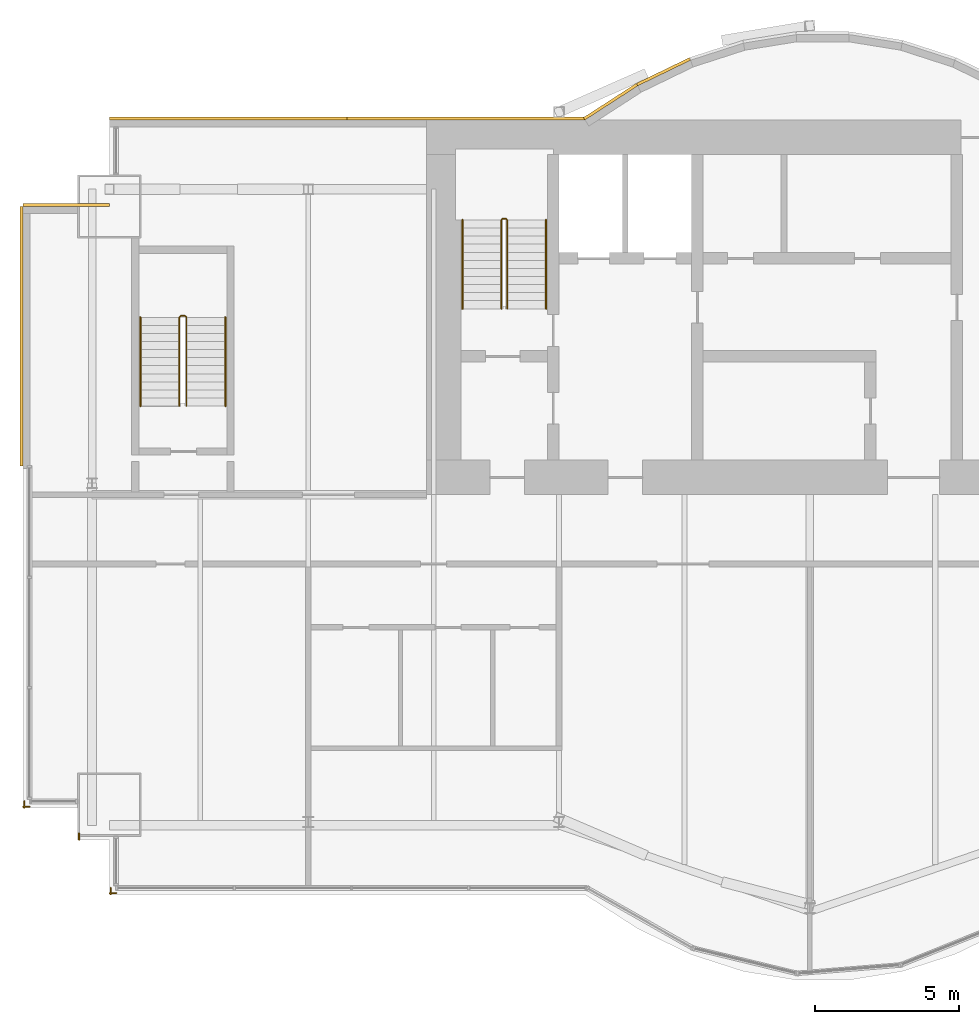
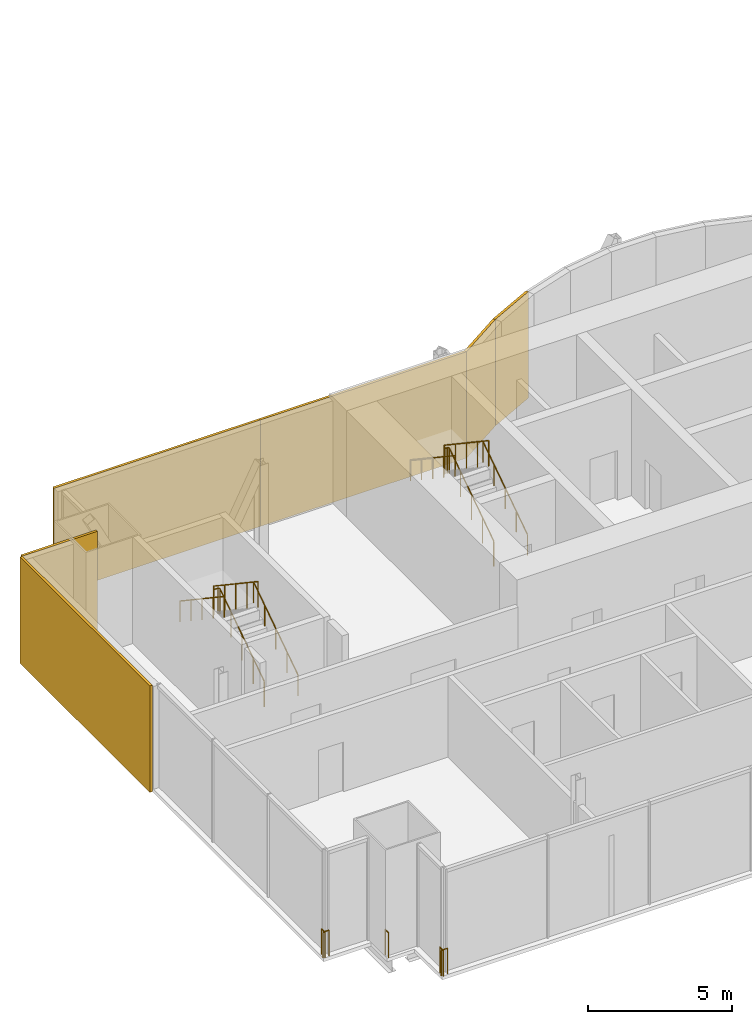
# One storey, part 16 of 18: 9 railings, 6 coverings.
"""IFC4 building model written with IfcOpenShell, lengths in metres."""

from ifc_helpers import new_model, si_unit, direction, frame, origin, origin_2d, place, context, subcontext, project, spatial, rectangle, circle, extrude, material, layer, layer_set, type_object, element, save


model = new_model("IFC4")

# Units and contexts
model_context = context("Model", 3, precision=1e-05, world=origin(), true_north=direction((0.0, 1.0)))
body_context = subcontext(model_context, "Body", "Model", "MODEL_VIEW")
ifc_project = project(units=[si_unit("LENGTHUNIT", "METRE"), si_unit("AREAUNIT", "SQUARE_METRE"), si_unit("VOLUMEUNIT", "CUBIC_METRE"), si_unit("PLANEANGLEUNIT", "RADIAN"), si_unit("MASSUNIT", "GRAM", prefix="KILO")], contexts=[model_context])

# Site, building, storey
site_placement = place(None, origin())
site = spatial("IfcSite", under=ifc_project, at=site_placement, CompositionType="ELEMENT")
building_placement = place(site_placement, origin())
building = spatial("IfcBuilding", under=site, at=building_placement, Name="Bicima Exchange Tower", CompositionType="ELEMENT")
storey_placement = place(building_placement, frame((0.0, 0.0, 302.0)))
storey = spatial("IfcBuildingStorey", under=building, at=storey_placement, Name="L68", CompositionType="ELEMENT", Elevation=302.0)

# Coverings
ifc_material_1 = material(Name="Bronze metal cladding")
ifc_layer_1 = layer(ifc_material_1, 0.004)
ifc_material_2 = material(Name="Ventilated cavity")
ifc_layer_2 = layer(ifc_material_2, 0.06)
ifc_material_3 = material(Name="Galvanised steel rail and mineral wool", Category="steel")
ifc_layer_3 = layer(ifc_material_3, 0.036)
ifc_layer_set = layer_set([ifc_layer_1, ifc_layer_2, ifc_layer_3], Name="Ventilated cavity")
covering_type = type_object("IfcCoveringType", Name="Bronze metal cladding panel 100", PredefinedType="CLADDING", material=ifc_layer_set)
covering_1_placement = place(storey_placement, frame((-13.771728515625, 1.674560546875, -0.14990234375), z_axis=(0.0, 0.0, 1.0), x_axis=(-0.899818346812, -0.436264762204, 0.0)))
element("IfcCovering", 1, at=covering_1_placement, inside=storey, type_object=covering_type, Name="Bronze cladding L68 18.1", PredefinedType="CLADDING", context=body_context, shape_type="SweptSolid", body=[
    extrude(rectangle(XDim=2.03759765625, YDim=0.10009765625, at=origin_2d()), origin(), (0.0, 0.0, 1.0), 4.5),
])
covering_2_placement = place(storey_placement, frame((-15.610595703125, 0.634521484375, -0.14990234375), z_axis=(0.0, 0.0, 1.0), x_axis=(-0.839790466384, -0.542910648791, 0.0)))
element("IfcCovering", 2, at=covering_2_placement, inside=storey, type_object=covering_type, Name="Bronze cladding L68 19.1", PredefinedType="CLADDING", context=body_context, shape_type="SweptSolid", body=[
    extrude(rectangle(XDim=2.18310546875, YDim=0.10009765625, at=origin_2d()), origin(), (0.0, 0.0, 1.0), 4.5),
])
for number, where, z_axis, x_axis, name in (
    (3, (-20.625, 0.050048828125, -0.14990234375), (0.0, 0.0, 1.0), (-1.0, 0.0, 0.0), "Bronze cladding L68 20.1"),
    (4, (-28.875, 0.050048828125, -0.14990234375), (0.0, 0.0, 1.0), (-1.0, 0.0, 0.0), "Bronze cladding L68 20.2"),
):
    element("IfcCovering", number, at=place(storey_placement, frame(where, z_axis=z_axis, x_axis=x_axis)), inside=storey, type_object=covering_type, Name=name, PredefinedType="CLADDING", context=body_context, shape_type="SweptSolid", body=[
        extrude(rectangle(XDim=8.25, YDim=0.10009765625, at=origin_2d()), origin(), (0.0, 0.0, 1.0), 4.5),
    ])
covering_3_placement = place(storey_placement, frame((-34.5, -2.949951171875, -0.14990234375), z_axis=(0.0, 0.0, 1.0), x_axis=(-1.0, 0.0, 0.0)))
element("IfcCovering", 5, at=covering_3_placement, inside=storey, type_object=covering_type, Name="Bronze cladding L68 22.1", PredefinedType="CLADDING", context=body_context, shape_type="SweptSolid", body=[
    extrude(rectangle(XDim=3.0, YDim=0.10009765625, at=origin_2d()), origin(), (0.0, 0.0, 1.0), 4.5),
])
covering_4_placement = place(storey_placement, frame((-36.050048828125, -7.5, -0.14990234375), z_axis=(0.0, 0.0, 1.0), x_axis=(0.0, -1.0, 0.0)))
element("IfcCovering", 6, at=covering_4_placement, inside=storey, type_object=covering_type, Name="Bronze cladding L68 23.1", PredefinedType="CLADDING", context=body_context, shape_type="SweptSolid", body=[
    extrude(rectangle(XDim=9.0, YDim=0.10009765625, at=origin_2d()), origin(), (0.0, 0.0, 1.0), 4.5),
])

# Railings
ifc_material_4 = material(Name="Stainless steel and bonded safety glass", Category="steel")
railing_type_1 = type_object("IfcRailingType", Name="Edge guard 1100", PredefinedType="GUARDRAIL", material=ifc_material_4)
railing_1_placement = place(storey_placement, frame((-35.762939453125, -23.822021484375, 0.0)))
element("IfcRailing", 7, at=railing_1_placement, inside=storey, type_object=railing_type_1, Name="Edge guard L68 349", PredefinedType="GUARDRAIL", context=body_context, shape_type="SweptSolid", body=[
    extrude(circle(Radius=0.02392578125, at=origin_2d()), frame((0.0, 0.0, 1.076171875), z_axis=(-1.0, 0.0, 0.0), x_axis=(0.0, -1.0, 0.0)), (0.0, 0.0, 1.0), 0.237060546875),
    extrude(circle(Radius=0.02392578125, at=origin_2d()), frame((-0.237060546875, 0.0, 1.076171875), z_axis=(0.707106781187, -0.707106781187, 0.0), x_axis=(0.707106781187, 0.707106781187, 0.0)), (0.0, 0.0, 1.0), 0.07080078125),
    extrude(circle(Radius=0.02392578125, at=origin_2d()), frame((-0.18701171875, -0.050048828125, 1.076171875), z_axis=(0.0, 1.0, 0.0), x_axis=(-1.0, 0.0, 0.0)), (0.0, 0.0, 1.0), 0.248046875),
    extrude(circle(Radius=0.02099609375, at=origin_2d()), origin(), (0.0, 0.0, 1.0), 1.052001953125),
    extrude(circle(Radius=0.02099609375, at=origin_2d()), frame((-0.237060546875, 0.0, 0.0)), (0.0, 0.0, 1.0), 1.052001953125),
    extrude(circle(Radius=0.02099609375, at=origin_2d()), frame((-0.18701171875, -0.050048828125, 0.0)), (0.0, 0.0, 1.0), 1.052001953125),
    extrude(circle(Radius=0.02099609375, at=origin_2d()), frame((-0.18701171875, 0.197998046875, 0.0)), (0.0, 0.0, 1.0), 1.052001953125),
])
railing_2_placement = place(storey_placement, frame((-32.75, -26.822021484375, 0.0)))
element("IfcRailing", 8, at=railing_2_placement, inside=storey, type_object=railing_type_1, Name="Edge guard L68 353", PredefinedType="GUARDRAIL", context=body_context, shape_type="SweptSolid", body=[
    extrude(circle(Radius=0.02392578125, at=origin_2d()), frame((0.0, 0.0, 1.076171875), z_axis=(-1.0, 0.0, 0.0), x_axis=(0.0, -1.0, 0.0)), (0.0, 0.0, 1.0), 0.25),
    extrude(circle(Radius=0.02392578125, at=origin_2d()), frame((-0.25, 0.0, 1.076171875), z_axis=(0.707106781187, -0.707106781187, 0.0), x_axis=(0.707106781187, 0.707106781187, 0.0)), (0.0, 0.0, 1.0), 0.07080078125),
    extrude(circle(Radius=0.02392578125, at=origin_2d()), frame((-0.199951171875, -0.050048828125, 1.076171875), z_axis=(0.0, 1.0, 0.0), x_axis=(-1.0, 0.0, 0.0)), (0.0, 0.0, 1.0), 0.238037109375),
    extrude(circle(Radius=0.02099609375, at=origin_2d()), origin(), (0.0, 0.0, 1.0), 1.052001953125),
    extrude(circle(Radius=0.02099609375, at=origin_2d()), frame((-0.25, 0.0, 0.0)), (0.0, 0.0, 1.0), 1.052001953125),
    extrude(circle(Radius=0.02099609375, at=origin_2d()), frame((-0.199951171875, -0.050048828125, 0.0)), (0.0, 0.0, 1.0), 1.052001953125),
    extrude(circle(Radius=0.02099609375, at=origin_2d()), frame((-0.199951171875, 0.18798828125, 0.0)), (0.0, 0.0, 1.0), 1.052001953125),
])
railing_3_placement = place(storey_placement, frame((-34.050048828125, -24.971923828125, 0.0)))
element("IfcRailing", 9, at=railing_3_placement, inside=storey, type_object=railing_type_1, Name="Edge guard L68 354", PredefinedType="GUARDRAIL", context=body_context, shape_type="SweptSolid", body=[
    extrude(circle(Radius=0.02392578125, at=origin_2d()), frame((0.0, 0.0, 1.076171875), z_axis=(0.0, 1.0, 0.0), x_axis=(-1.0, 0.0, 0.0)), (0.0, 0.0, 1.0), 0.219970703125),
    extrude(circle(Radius=0.02099609375, at=origin_2d()), origin(), (0.0, 0.0, 1.0), 1.052001953125),
    extrude(circle(Radius=0.02099609375, at=origin_2d()), frame((0.0, 0.219970703125, 0.0)), (0.0, 0.0, 1.0), 1.052001953125),
])
ifc_material_5 = material(Name="Stainless steel", Category="steel")
railing_type_2 = type_object("IfcRailingType", Name="Stair guard 1100", PredefinedType="GUARDRAIL", material=ifc_material_5)
railing_4_placement = place(storey_placement, frame((-19.199951171875, -6.550048828125, 0.1875)))
element("IfcRailing", 10, at=railing_4_placement, inside=storey, type_object=railing_type_2, Name="L68 ST-W stair guard 1", PredefinedType="GUARDRAIL", context=body_context, shape_type="SweptSolid", body=[
    extrude(circle(Radius=0.02392578125, at=origin_2d()), frame((0.0, 0.0, 1.076171875), z_axis=(0.0, 0.830913701846, 0.55640131208), x_axis=(-1.0, 0.0, 0.0)), (0.0, 0.0, 1.0), 3.706787109375),
    extrude(circle(Radius=0.02392578125, at=origin_2d()), frame((0.0, 3.080078125, 3.138671875), z_axis=(-0.707106781187, 0.707106781187, 0.0), x_axis=(-0.707106781187, -0.707106781187, 0.0)), (0.0, 0.0, 1.0), 0.07080078125),
    extrude(circle(Radius=0.02392578125, at=origin_2d()), frame((-0.050048828125, 3.130126953125, 3.138671875), z_axis=(-1.0, 0.0, 0.0), x_axis=(0.0, -1.0, 0.0)), (0.0, 0.0, 1.0), 0.10009765625),
    extrude(circle(Radius=0.02392578125, at=origin_2d()), frame((-0.150146484375, 3.130126953125, 3.138671875), z_axis=(-0.248583702486, -0.249802250048, 0.935844527007), x_axis=(0.708833529934, -0.705375805398, 0.0)), (0.0, 0.0, 1.0), 0.200439453125),
    extrude(circle(Radius=0.02392578125, at=origin_2d()), frame((-0.199951171875, 3.080078125, 3.326171875), z_axis=(0.0, -0.830913701846, 0.55640131208), x_axis=(1.0, 0.0, 0.0)), (0.0, 0.0, 1.0), 3.706787109375),
    extrude(circle(Radius=0.02099609375, at=origin_2d()), origin(), (0.0, 0.0, 1.0), 1.052001953125),
    extrude(circle(Radius=0.02099609375, at=origin_2d()), frame((0.0, 0.77001953125, 0.515625)), (0.0, 0.0, 1.0), 1.052001953125),
    extrude(circle(Radius=0.02099609375, at=origin_2d()), frame((0.0, 1.5400390625, 1.03125)), (0.0, 0.0, 1.0), 1.052001953125),
    extrude(circle(Radius=0.02099609375, at=origin_2d()), frame((0.0, 2.31005859375, 1.546875)), (0.0, 0.0, 1.0), 1.052001953125),
    extrude(circle(Radius=0.02099609375, at=origin_2d()), frame((0.0, 3.080078125, 2.0625)), (0.0, 0.0, 1.0), 1.052001953125),
    extrude(circle(Radius=0.02099609375, at=origin_2d()), frame((-0.050048828125, 3.130126953125, 2.0625)), (0.0, 0.0, 1.0), 1.052001953125),
    extrude(circle(Radius=0.02099609375, at=origin_2d()), frame((-0.150146484375, 3.130126953125, 2.0625)), (0.0, 0.0, 1.0), 1.052001953125),
    extrude(circle(Radius=0.02099609375, at=origin_2d()), frame((-0.199951171875, 3.080078125, 2.25)), (0.0, 0.0, 1.0), 1.052001953125),
    extrude(circle(Radius=0.02099609375, at=origin_2d()), frame((-0.199951171875, 2.31005859375, 2.765625)), (0.0, 0.0, 1.0), 1.052001953125),
    extrude(circle(Radius=0.02099609375, at=origin_2d()), frame((-0.199951171875, 1.5400390625, 3.28125)), (0.0, 0.0, 1.0), 1.052001953125),
    extrude(circle(Radius=0.02099609375, at=origin_2d()), frame((-0.199951171875, 0.77001953125, 3.796875)), (0.0, 0.0, 1.0), 1.052001953125),
    extrude(circle(Radius=0.02099609375, at=origin_2d()), frame((-0.199951171875, 0.0, 4.3125)), (0.0, 0.0, 1.0), 1.052001953125),
])
railing_5_placement = place(storey_placement, frame((-30.324951171875, -9.925048828125, 0.1875)))
element("IfcRailing", 11, at=railing_5_placement, inside=storey, type_object=railing_type_2, Name="L68 ST-WW stair guard 1", PredefinedType="GUARDRAIL", context=body_context, shape_type="SweptSolid", body=[
    extrude(circle(Radius=0.02392578125, at=origin_2d()), frame((0.0, 0.0, 1.076171875), z_axis=(0.0, 0.830913701846, 0.55640131208), x_axis=(-1.0, 0.0, 0.0)), (0.0, 0.0, 1.0), 3.706787109375),
    extrude(circle(Radius=0.02392578125, at=origin_2d()), frame((0.0, 3.080078125, 3.138671875), z_axis=(-0.707106781187, 0.707106781187, 0.0), x_axis=(-0.707106781187, -0.707106781187, 0.0)), (0.0, 0.0, 1.0), 0.07080078125),
    extrude(circle(Radius=0.02392578125, at=origin_2d()), frame((-0.050048828125, 3.130126953125, 3.138671875), z_axis=(-1.0, 0.0, 0.0), x_axis=(0.0, -1.0, 0.0)), (0.0, 0.0, 1.0), 0.14990234375),
    extrude(circle(Radius=0.02392578125, at=origin_2d()), frame((-0.199951171875, 3.130126953125, 3.138671875), z_axis=(-0.249726431254, -0.249726431254, 0.935560483917), x_axis=(0.707106781187, -0.707106781187, 0.0)), (0.0, 0.0, 1.0), 0.200439453125),
    extrude(circle(Radius=0.02392578125, at=origin_2d()), frame((-0.25, 3.080078125, 3.326171875), z_axis=(0.0, -0.830913701846, 0.55640131208), x_axis=(1.0, 0.0, 0.0)), (0.0, 0.0, 1.0), 3.706787109375),
    extrude(circle(Radius=0.02099609375, at=origin_2d()), origin(), (0.0, 0.0, 1.0), 1.052001953125),
    extrude(circle(Radius=0.02099609375, at=origin_2d()), frame((0.0, 0.77001953125, 0.515625)), (0.0, 0.0, 1.0), 1.052001953125),
    extrude(circle(Radius=0.02099609375, at=origin_2d()), frame((0.0, 1.5400390625, 1.03125)), (0.0, 0.0, 1.0), 1.052001953125),
    extrude(circle(Radius=0.02099609375, at=origin_2d()), frame((0.0, 2.31005859375, 1.546875)), (0.0, 0.0, 1.0), 1.052001953125),
    extrude(circle(Radius=0.02099609375, at=origin_2d()), frame((0.0, 3.080078125, 2.0625)), (0.0, 0.0, 1.0), 1.052001953125),
    extrude(circle(Radius=0.02099609375, at=origin_2d()), frame((-0.050048828125, 3.130126953125, 2.0625)), (0.0, 0.0, 1.0), 1.052001953125),
    extrude(circle(Radius=0.02099609375, at=origin_2d()), frame((-0.199951171875, 3.130126953125, 2.0625)), (0.0, 0.0, 1.0), 1.052001953125),
    extrude(circle(Radius=0.02099609375, at=origin_2d()), frame((-0.25, 3.080078125, 2.25)), (0.0, 0.0, 1.0), 1.052001953125),
    extrude(circle(Radius=0.02099609375, at=origin_2d()), frame((-0.25, 2.31005859375, 2.765625)), (0.0, 0.0, 1.0), 1.052001953125),
    extrude(circle(Radius=0.02099609375, at=origin_2d()), frame((-0.25, 1.5400390625, 3.28125)), (0.0, 0.0, 1.0), 1.052001953125),
    extrude(circle(Radius=0.02099609375, at=origin_2d()), frame((-0.25, 0.77001953125, 3.796875)), (0.0, 0.0, 1.0), 1.052001953125),
    extrude(circle(Radius=0.02099609375, at=origin_2d()), frame((-0.25, 0.0, 4.3125)), (0.0, 0.0, 1.0), 1.052001953125),
])
railing_type_3 = type_object("IfcRailingType", Name="Stair handrail 900", PredefinedType="HANDRAIL", material=ifc_material_5)
railing_6_placement = place(storey_placement, frame((-17.85009765625, -6.550048828125, 0.1875)))
element("IfcRailing", 12, at=railing_6_placement, inside=storey, type_object=railing_type_3, Name="L68 ST-W stair handrail 1", PredefinedType="HANDRAIL", context=body_context, shape_type="SweptSolid", body=[
    extrude(circle(Radius=0.02392578125, at=origin_2d()), frame((0.0, 0.0, 0.8759765625), z_axis=(0.0, 0.830913701846, 0.55640131208), x_axis=(-1.0, 0.0, 0.0)), (0.0, 0.0, 1.0), 3.706787109375),
    extrude(circle(Radius=0.02099609375, at=origin_2d()), origin(), (0.0, 0.0, 1.0), 0.851806640625),
    extrude(circle(Radius=0.02099609375, at=origin_2d()), frame((0.0, 0.77001953125, 0.515625)), (0.0, 0.0, 1.0), 0.851806640625),
    extrude(circle(Radius=0.02099609375, at=origin_2d()), frame((0.0, 1.5400390625, 1.03125)), (0.0, 0.0, 1.0), 0.851806640625),
    extrude(circle(Radius=0.02099609375, at=origin_2d()), frame((0.0, 2.31005859375, 1.546875)), (0.0, 0.0, 1.0), 0.851806640625),
    extrude(circle(Radius=0.02099609375, at=origin_2d()), frame((0.0, 3.080078125, 2.0625)), (0.0, 0.0, 1.0), 0.851806640625),
])
railing_7_placement = place(storey_placement, frame((-20.75, -3.469970703125, 2.47900390625)))
element("IfcRailing", 13, at=railing_7_placement, inside=storey, type_object=railing_type_3, Name="L68 ST-W stair handrail 2", PredefinedType="HANDRAIL", context=body_context, shape_type="SweptSolid", body=[
    extrude(circle(Radius=0.02392578125, at=origin_2d()), frame((0.0, 0.0, 0.8759765625), z_axis=(0.0, -0.830913701846, 0.55640131208), x_axis=(1.0, 0.0, 0.0)), (0.0, 0.0, 1.0), 3.706787109375),
    extrude(circle(Radius=0.02099609375, at=origin_2d()), origin(), (0.0, 0.0, 1.0), 0.851806640625),
    extrude(circle(Radius=0.02099609375, at=origin_2d()), frame((0.0, -0.77001953125, 0.515625)), (0.0, 0.0, 1.0), 0.851806640625),
    extrude(circle(Radius=0.02099609375, at=origin_2d()), frame((0.0, -1.5400390625, 1.03125)), (0.0, 0.0, 1.0), 0.851806640625),
    extrude(circle(Radius=0.02099609375, at=origin_2d()), frame((0.0, -2.31005859375, 1.546875)), (0.0, 0.0, 1.0), 0.851806640625),
    extrude(circle(Radius=0.02099609375, at=origin_2d()), frame((0.0, -3.080078125, 2.0625)), (0.0, 0.0, 1.0), 0.851806640625),
])
railing_8_placement = place(storey_placement, frame((-28.97509765625, -9.925048828125, 0.1875)))
element("IfcRailing", 14, at=railing_8_placement, inside=storey, type_object=railing_type_3, Name="L68 ST-WW stair handrail 1", PredefinedType="HANDRAIL", context=body_context, shape_type="SweptSolid", body=[
    extrude(circle(Radius=0.02392578125, at=origin_2d()), frame((0.0, 0.0, 0.8759765625), z_axis=(0.0, 0.830913701846, 0.55640131208), x_axis=(-1.0, 0.0, 0.0)), (0.0, 0.0, 1.0), 3.706787109375),
    extrude(circle(Radius=0.02099609375, at=origin_2d()), origin(), (0.0, 0.0, 1.0), 0.851806640625),
    extrude(circle(Radius=0.02099609375, at=origin_2d()), frame((0.0, 0.77001953125, 0.515625)), (0.0, 0.0, 1.0), 0.851806640625),
    extrude(circle(Radius=0.02099609375, at=origin_2d()), frame((0.0, 1.5400390625, 1.03125)), (0.0, 0.0, 1.0), 0.851806640625),
    extrude(circle(Radius=0.02099609375, at=origin_2d()), frame((0.0, 2.31005859375, 1.546875)), (0.0, 0.0, 1.0), 0.851806640625),
    extrude(circle(Radius=0.02099609375, at=origin_2d()), frame((0.0, 3.080078125, 2.0625)), (0.0, 0.0, 1.0), 0.851806640625),
])
railing_9_placement = place(storey_placement, frame((-31.925048828125, -6.844970703125, 2.47900390625)))
element("IfcRailing", 15, at=railing_9_placement, inside=storey, type_object=railing_type_3, Name="L68 ST-WW stair handrail 2", PredefinedType="HANDRAIL", context=body_context, shape_type="SweptSolid", body=[
    extrude(circle(Radius=0.02392578125, at=origin_2d()), frame((0.0, 0.0, 0.8759765625), z_axis=(0.0, -0.830913701846, 0.55640131208), x_axis=(1.0, 0.0, 0.0)), (0.0, 0.0, 1.0), 3.706787109375),
    extrude(circle(Radius=0.02099609375, at=origin_2d()), origin(), (0.0, 0.0, 1.0), 0.851806640625),
    extrude(circle(Radius=0.02099609375, at=origin_2d()), frame((0.0, -0.77001953125, 0.515625)), (0.0, 0.0, 1.0), 0.851806640625),
    extrude(circle(Radius=0.02099609375, at=origin_2d()), frame((0.0, -1.5400390625, 1.03125)), (0.0, 0.0, 1.0), 0.851806640625),
    extrude(circle(Radius=0.02099609375, at=origin_2d()), frame((0.0, -2.31005859375, 1.546875)), (0.0, 0.0, 1.0), 0.851806640625),
    extrude(circle(Radius=0.02099609375, at=origin_2d()), frame((0.0, -3.080078125, 2.0625)), (0.0, 0.0, 1.0), 0.851806640625),
])

save(model, "model.ifc")
